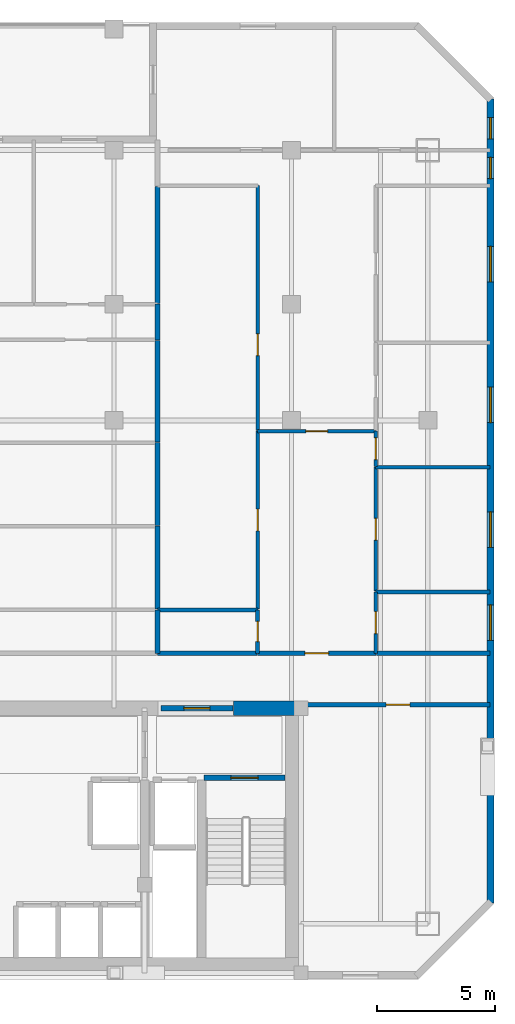
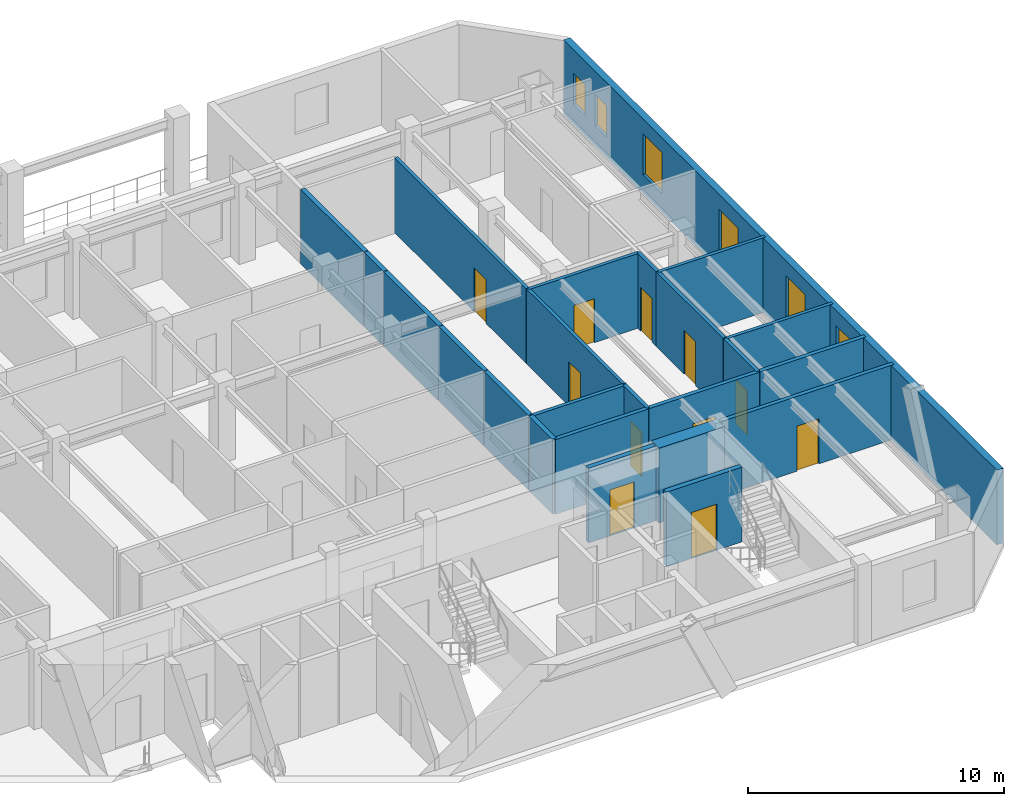
# One storey, part 5 of 8: 24 walls, 11 doors, 6 windows, 17 openings.
"""IFC4 building model written with IfcOpenShell, lengths in metres."""

from ifc_helpers import new_model, si_unit, direction, frame, frame_2d, origin, place, context, subcontext, project, spatial, rectangle, extrude, material, layer, layer_set, type_object, element, fill, save


model = new_model("IFC4")

# Units and contexts
model_context = context("Model", 3, precision=1e-05, world=origin(), true_north=direction((0.0, 1.0)))
body_context = subcontext(model_context, "Body", "Model", "MODEL_VIEW")
ifc_project = project(units=[si_unit("LENGTHUNIT", "METRE"), si_unit("AREAUNIT", "SQUARE_METRE"), si_unit("VOLUMEUNIT", "CUBIC_METRE"), si_unit("PLANEANGLEUNIT", "RADIAN"), si_unit("MASSUNIT", "GRAM", prefix="KILO")], contexts=[model_context])

# Site, building, storey
site_placement = place(None, origin())
site = spatial("IfcSite", under=ifc_project, at=site_placement, CompositionType="ELEMENT")
building_placement = place(site_placement, origin())
building = spatial("IfcBuilding", under=site, at=building_placement, Name="Ventersveld Concourse Tower", CompositionType="ELEMENT")
storey_placement = place(building_placement, frame((0.0, 0.0, 200.300048828125)))
storey = spatial("IfcBuildingStorey", under=building, at=storey_placement, Name="L49", CompositionType="ELEMENT", Elevation=200.300048828125)

# Wall
ifc_material_1 = material(Name="Concrete C50/60", Category="concrete")
ifc_layer_1 = layer(ifc_material_1, 0.60009765625)
ifc_layer_set_1 = layer_set([ifc_layer_1], Name="Concrete C50/60")
wall_type_1 = type_object("IfcWallType", Name="WL-CORE-600", PredefinedType="SHEAR", material=ifc_layer_set_1)
wall_1_placement = place(storey_placement, frame((41.300048828125, 11.449951171875, 0.0), z_axis=(0.0, 0.0, 1.0), x_axis=(1.0, 0.0, 0.0)))
element("IfcWall", 1, at=wall_1_placement, inside=storey, type_object=wall_type_1, Name="L49 Rear Core North Shear Wall NE", PredefinedType="SHEAR", context=body_context, shape_type="SweptSolid", body=[
    extrude(rectangle(XDim=2.949951171875, YDim=0.60009765625, at=frame_2d((1.47509765625, 0.0))), origin(), (0.0, 0.0, 1.0), 3.570068359375),
])

# Wall, opening, door
ifc_material_2 = material(Name="Fire-rated autoclaved aerated masonry blockwork", Category="masonry")
ifc_layer_2 = layer(ifc_material_2, 0.179931640625)
ifc_layer_set_2 = layer_set([ifc_layer_2], Name="Fire-rated autoclaved aerated masonry blockwork")
wall_type_2 = type_object("IfcWallType", Name="WL-CORR-180", PredefinedType="PARTITIONING", material=ifc_layer_set_2)
wall_2_placement = place(storey_placement, frame((44.35498046875, 11.60009765625, 0.0), z_axis=(0.0, 0.0, 1.0), x_axis=(1.0, 0.0, 0.0)))
wall_2 = element("IfcWall", 2, at=wall_2_placement, inside=storey, type_object=wall_type_2, Name="L49 Interior Partition SP-L49-SE-OFF-SP-L49-COR", PredefinedType="PARTITIONING", context=body_context, shape_type="SweptSolid", body=[
    extrude(rectangle(XDim=7.7724609375, YDim=0.179931640625, at=frame_2d((3.88623046875, 0.0))), origin(), (0.0, 0.0, 1.0), 3.570068359375),
])
opening_1_placement = place(wall_2_placement, frame((3.38623046875, 0.0, 0.0)))
opening_1 = element("IfcOpeningElement", 3, at=opening_1_placement, cuts=wall_2, Name="Opening FD3", PredefinedType="OPENING", context=body_context, shape_type="SweptSolid", body=[
    extrude(rectangle(XDim=1.0, YDim=2.14990234375, at=frame_2d((0.5, 1.074951171875))), frame((0.0, 0.10009765625, 0.0), z_axis=(0.0, -1.0, 0.0), x_axis=(1.0, 0.0, 0.0)), (0.0, 0.0, 1.0), 0.199951171875),
])
ifc_material_3 = material(Name="Solid-core hardwood veneer timber", Category="wood")
door_type_1 = type_object("IfcDoorType", Name="DR-FLAT-100", OperationType="NOTDEFINED", PredefinedType="DOOR", material=ifc_material_3)
door_1_placement = place(opening_1_placement, origin())
door_1 = element("IfcDoor", 4, at=door_1_placement, inside=storey, type_object=door_type_1, Name="L49 Interior Door SP-L49-SE-OFF to SP-L49-COR (D-L49-2391)", OperationType="SINGLE_SWING_LEFT", OverallHeight=2.14990234375, OverallWidth=1.0, PredefinedType="DOOR", context=body_context, shape_type="SweptSolid", body=[
    extrude(rectangle(XDim=1.0, YDim=2.14990234375, at=frame_2d((0.5, 1.074951171875))), frame((0.0, 0.02490234375, 0.0), z_axis=(0.0, -1.0, 0.0), x_axis=(1.0, 0.0, 0.0)), (0.0, 0.0, 1.0), 0.050048828125),
])
fill(opening_1, door_1)

wall_3_placement = place(storey_placement, frame((42.3125, 13.77001953125, 0.0), z_axis=(0.0, 0.0, 1.0), x_axis=(1.0, 0.0, 0.0)))
wall_3 = element("IfcWall", 5, at=wall_3_placement, inside=storey, type_object=wall_type_2, Name="L49 Interior Partition SP-L49-COR-SP-L49-49CE-FOY", PredefinedType="PARTITIONING", context=body_context, shape_type="SweptSolid", body=[
    extrude(rectangle(XDim=4.989990234375, YDim=0.179931640625, at=frame_2d((2.4951171875, 0.0))), origin(), (0.0, 0.0, 1.0), 3.570068359375),
])
opening_2_placement = place(wall_3_placement, frame((1.9951171875, 0.0, 0.0)))
opening_2 = element("IfcOpeningElement", 6, at=opening_2_placement, cuts=wall_3, Name="Opening FD3", PredefinedType="OPENING", context=body_context, shape_type="SweptSolid", body=[
    extrude(rectangle(XDim=1.0, YDim=2.14990234375, at=frame_2d((0.5, 1.074951171875))), frame((0.0, 0.10009765625, 0.0), z_axis=(0.0, -1.0, 0.0), x_axis=(1.0, 0.0, 0.0)), (0.0, 0.0, 1.0), 0.199951171875),
])
door_2_placement = place(opening_2_placement, origin())
door_2 = element("IfcDoor", 7, at=door_2_placement, inside=storey, type_object=door_type_1, Name="L49 Interior Door SP-L49-COR to SP-L49-49CE-FOY (FD-L49-2393)", OperationType="SINGLE_SWING_LEFT", OverallHeight=2.14990234375, OverallWidth=1.0, PredefinedType="DOOR", context=body_context, shape_type="SweptSolid", body=[
    extrude(rectangle(XDim=1.0, YDim=2.14990234375, at=frame_2d((0.5, 1.074951171875))), frame((0.0, 0.02490234375, 0.0), z_axis=(0.0, -1.0, 0.0), x_axis=(1.0, 0.0, 0.0)), (0.0, 0.0, 1.0), 0.050048828125),
])
fill(opening_2, door_2)

# Walls
wall_4_placement = place(storey_placement, frame((38.0849609375, 13.77001953125, 0.0), z_axis=(0.0, 0.0, 1.0), x_axis=(1.0, 0.0, 0.0)))
element("IfcWall", 8, at=wall_4_placement, inside=storey, type_object=wall_type_2, Name="L49 Interior Partition SP-L49-COR-SP-L49-49CE-BATH", PredefinedType="PARTITIONING", context=body_context, shape_type="SweptSolid", body=[
    extrude(rectangle(XDim=4.197509765625, YDim=0.179931640625, at=frame_2d((2.0986328125, 0.0))), origin(), (0.0, 0.0, 1.0), 3.570068359375),
])
wall_5_placement = place(storey_placement, frame((47.33251953125, 13.77001953125, 0.0), z_axis=(0.0, 0.0, 1.0), x_axis=(1.0, 0.0, 0.0)))
element("IfcWall", 9, at=wall_5_placement, inside=storey, type_object=wall_type_2, Name="L49 Interior Partition SP-L49-COR-SP-L49-49CE-KIT", PredefinedType="PARTITIONING", context=body_context, shape_type="SweptSolid", body=[
    extrude(rectangle(XDim=4.794921875, YDim=0.179931640625, at=frame_2d((2.3974609375, 0.0))), origin(), (0.0, 0.0, 1.0), 3.570068359375),
])
ifc_layer_3 = layer(ifc_material_2, 0.199951171875)
ifc_layer_set_3 = layer_set([ifc_layer_3], Name="Fire-rated autoclaved aerated masonry blockwork")
wall_type_3 = type_object("IfcWallType", Name="WL-DEMISE-200", PredefinedType="PARTITIONING", material=ifc_layer_set_3)
wall_6_placement = place(storey_placement, frame((38.090087890625, 13.764892578125, 0.0), z_axis=(0.0, 0.0, 1.0), x_axis=(0.0, 1.0, 0.0)))
element("IfcWall", 10, at=wall_6_placement, inside=storey, type_object=wall_type_3, Name="L49 Interior Partition SP-L49-49CE-BATH-SP-L49-49CM-KIT", PredefinedType="PARTITIONING", context=body_context, shape_type="SweptSolid", body=[
    extrude(rectangle(XDim=1.840087890625, YDim=0.199951171875, at=frame_2d((0.919921875, 0.0))), origin(), (0.0, 0.0, 1.0), 3.570068359375),
])
wall_7_placement = place(storey_placement, frame((38.090087890625, 26.9951171875, 0.0), z_axis=(0.0, 0.0, 1.0), x_axis=(0.0, 1.0, 0.0)))
element("IfcWall", 11, at=wall_7_placement, inside=storey, type_object=wall_type_3, Name="L49 Interior Partition SP-L49-49CE-SEML0-SP-L49-49CM-LIV", PredefinedType="PARTITIONING", context=body_context, shape_type="SweptSolid", body=[
    extrude(rectangle(XDim=1.509765625, YDim=0.199951171875, at=frame_2d((0.7548828125, 0.0))), origin(), (0.0, 0.0, 1.0), 3.570068359375),
])
for number, where, z_axis, x_axis, name in (
    (12, (38.090087890625, 15.635009765625, 0.0), (0.0, 0.0, 1.0), (0.0, 1.0, 0.0), "L49 Interior Partition SP-L49-49CE-SEML0-SP-L49-49CM-DENR"),
    (13, (38.090087890625, 19.160400390625, 0.0), (0.0, 0.0, 1.0), (0.0, 1.0, 0.0), "L49 Interior Partition SP-L49-49CE-SEML0-SP-L49-49CM-DENS"),
):
    element("IfcWall", number, at=place(storey_placement, frame(where, z_axis=z_axis, x_axis=x_axis)), inside=storey, type_object=wall_type_3, Name=name, PredefinedType="PARTITIONING", context=body_context, shape_type="SweptSolid", body=[
        extrude(rectangle(XDim=3.49560546875, YDim=0.199951171875, at=frame_2d((1.747802734375, 0.0))), origin(), (0.0, 0.0, 1.0), 3.570068359375),
    ])
wall_8_placement = place(storey_placement, frame((38.090087890625, 22.68603515625, 0.0), z_axis=(0.0, 0.0, 1.0), x_axis=(0.0, 1.0, 0.0)))
element("IfcWall", 14, at=wall_8_placement, inside=storey, type_object=wall_type_3, Name="L49 Interior Partition SP-L49-49CE-SEML0-SP-L49-49CM-DENS2", PredefinedType="PARTITIONING", context=body_context, shape_type="SweptSolid", body=[
    extrude(rectangle(XDim=4.279052734375, YDim=0.199951171875, at=frame_2d((2.1396484375, 0.0))), origin(), (0.0, 0.0, 1.0), 3.570068359375),
])
wall_9_placement = place(storey_placement, frame((38.090087890625, 28.534912109375, 0.0), z_axis=(0.0, 0.0, 1.0), x_axis=(0.0, 1.0, 0.0)))
element("IfcWall", 15, at=wall_9_placement, inside=storey, type_object=wall_type_3, Name="L49 Interior Partition SP-L49-49CE-SEML0-SP-L49-49CM-BR4", PredefinedType="PARTITIONING", context=body_context, shape_type="SweptSolid", body=[
    extrude(rectangle(XDim=4.93017578125, YDim=0.199951171875, at=frame_2d((2.465087890625, 0.0))), origin(), (0.0, 0.0, 1.0), 3.570068359375),
])

# Wall, opening, door
ifc_layer_4 = layer(ifc_material_2, 0.219970703125)
ifc_layer_set_4 = layer_set([ifc_layer_4], Name="Fire-rated autoclaved aerated masonry blockwork")
wall_type_4 = type_object("IfcWallType", Name="WL-HOIST-220", PredefinedType="SOLIDWALL", material=ifc_layer_set_4)
wall_10_placement = place(storey_placement, frame((40.06005859375, 8.52001953125, 0.0), z_axis=(0.0, 0.0, 1.0), x_axis=(1.0, 0.0, 0.0)))
wall_10 = element("IfcWall", 16, at=wall_10_placement, inside=storey, type_object=wall_type_4, Name="L49 Escape Stair ST02 Fire Wall", PredefinedType="SOLIDWALL", context=body_context, shape_type="SweptSolid", body=[
    extrude(rectangle(XDim=3.39990234375, YDim=0.219970703125, at=frame_2d((1.699951171875, 0.0))), origin(), (0.0, 0.0, 1.0), 3.570068359375),
])
opening_3_placement = place(wall_10_placement, frame((1.125, 0.0, 0.0)))
opening_3 = element("IfcOpeningElement", 17, at=opening_3_placement, cuts=wall_10, Name="Opening FD1", PredefinedType="OPENING", context=body_context, shape_type="SweptSolid", body=[
    extrude(rectangle(XDim=1.14990234375, YDim=2.199951171875, at=frame_2d((0.574951171875, 1.10009765625))), frame((0.0, 0.1201171875, 0.0), z_axis=(0.0, -1.0, 0.0), x_axis=(1.0, 0.0, 0.0)), (0.0, 0.0, 1.0), 0.239990234375),
])
ifc_material_4 = material(Name="Galvanised painted steel", Category="steel")
door_type_2 = type_object("IfcDoorType", Name="DR-STAIR-115", OperationType="NOTDEFINED", PredefinedType="DOOR", material=ifc_material_4)
door_3_placement = place(opening_3_placement, origin())
door_3 = element("IfcDoor", 18, at=door_3_placement, inside=storey, type_object=door_type_2, Name="L49 Escape Stair Door ST02 (SD-L49-2382)", OperationType="SINGLE_SWING_RIGHT", OverallHeight=2.199951171875, OverallWidth=1.14990234375, PredefinedType="DOOR", context=body_context, shape_type="SweptSolid", body=[
    extrude(rectangle(XDim=1.14990234375, YDim=2.199951171875, at=frame_2d((0.574951171875, 1.10009765625))), frame((0.0, 0.02490234375, 0.0), z_axis=(0.0, -1.0, 0.0), x_axis=(1.0, 0.0, 0.0)), (0.0, 0.0, 1.0), 0.050048828125),
])
fill(opening_3, door_3)

wall_11_placement = place(storey_placement, frame((38.22998046875, 11.449951171875, 0.0), z_axis=(0.0, 0.0, 1.0), x_axis=(1.0, 0.0, 0.0)))
wall_11 = element("IfcWall", 19, at=wall_11_placement, inside=storey, type_object=wall_type_4, Name="L49 Core North Fire Portal FFLE-OUT", PredefinedType="SOLIDWALL", context=body_context, shape_type="SweptSolid", body=[
    extrude(rectangle(XDim=3.0400390625, YDim=0.219970703125, at=frame_2d((1.52001953125, 0.0))), origin(), (0.0, 0.0, 1.0), 3.570068359375),
])
opening_4_placement = place(wall_11_placement, frame((0.969970703125, 0.0, 0.0)))
opening_4 = element("IfcOpeningElement", 20, at=opening_4_placement, cuts=wall_11, Name="Opening FD2", PredefinedType="OPENING", context=body_context, shape_type="SweptSolid", body=[
    extrude(rectangle(XDim=1.10009765625, YDim=2.199951171875, at=frame_2d((0.550048828125, 1.10009765625))), frame((0.0, 0.1201171875, 0.0), z_axis=(0.0, -1.0, 0.0), x_axis=(1.0, 0.0, 0.0)), (0.0, 0.0, 1.0), 0.239990234375),
])
door_type_3 = type_object("IfcDoorType", Name="DR-FFL-110", OperationType="NOTDEFINED", PredefinedType="DOOR", material=ifc_material_4)
door_4_placement = place(opening_4_placement, origin())
door_4 = element("IfcDoor", 21, at=door_4_placement, inside=storey, type_object=door_type_3, Name="L49 Core Lobby Fire Door FFLE-OUT (FD-L49-2388)", OperationType="SINGLE_SWING_LEFT", OverallHeight=2.199951171875, OverallWidth=1.10009765625, PredefinedType="DOOR", context=body_context, shape_type="SweptSolid", body=[
    extrude(rectangle(XDim=1.10009765625, YDim=2.199951171875, at=frame_2d((0.550048828125, 1.10009765625))), frame((0.0, 0.02490234375, 0.0), z_axis=(0.0, -1.0, 0.0), x_axis=(1.0, 0.0, 0.0)), (0.0, 0.0, 1.0), 0.050048828125),
])
fill(opening_4, door_4)

ifc_material_5 = material(Name="Autoclaved aerated masonry blockwork", Category="masonry")
ifc_layer_5 = layer(ifc_material_5, 0.14990234375)
ifc_layer_set_5 = layer_set([ifc_layer_5], Name="Autoclaved aerated masonry blockwork")
wall_type_5 = type_object("IfcWallType", Name="WL-INT-150", PredefinedType="PARTITIONING", material=ifc_layer_set_5)
wall_12_placement = place(storey_placement, frame((42.3125, 23.143310546875, 0.0), z_axis=(0.0, 0.0, 1.0), x_axis=(1.0, 0.0, 0.0)))
wall_12 = element("IfcWall", 22, at=wall_12_placement, inside=storey, type_object=wall_type_5, Name="L49 Interior Partition SP-L49-49CE-FOY-SP-L49-49CE-LIV", PredefinedType="PARTITIONING", context=body_context, shape_type="SweptSolid", body=[
    extrude(rectangle(XDim=4.989990234375, YDim=0.14990234375, at=frame_2d((2.4951171875, 0.0))), origin(), (0.0, 0.0, 1.0), 3.570068359375),
])
opening_5_placement = place(wall_12_placement, frame((2.034912109375, 0.0, 0.0)))
opening_5 = element("IfcOpeningElement", 23, at=opening_5_placement, cuts=wall_12, Name="Opening ID1", PredefinedType="OPENING", context=body_context, shape_type="SweptSolid", body=[
    extrude(rectangle(XDim=0.919921875, YDim=2.10009765625, at=frame_2d((0.4599609375, 1.050048828125))), frame((0.0, 0.0849609375, 0.0), z_axis=(0.0, -1.0, 0.0), x_axis=(1.0, 0.0, 0.0)), (0.0, 0.0, 1.0), 0.169921875),
])
door_type_4 = type_object("IfcDoorType", Name="DR-ROOM-092", OperationType="NOTDEFINED", PredefinedType="DOOR", material=ifc_material_3)
door_5_placement = place(opening_5_placement, origin())
door_5 = element("IfcDoor", 24, at=door_5_placement, inside=storey, type_object=door_type_4, Name="L49 Interior Door SP-L49-49CE-FOY to SP-L49-49CE-LIV (D-L49-2403)", OperationType="SINGLE_SWING_LEFT", OverallHeight=2.10009765625, OverallWidth=0.919921875, PredefinedType="DOOR", context=body_context, shape_type="SweptSolid", body=[
    extrude(rectangle(XDim=0.919921875, YDim=2.10009765625, at=frame_2d((0.4599609375, 1.050048828125))), frame((0.0, 0.02490234375, 0.0), z_axis=(0.0, -1.0, 0.0), x_axis=(1.0, 0.0, 0.0)), (0.0, 0.0, 1.0), 0.050048828125),
])
fill(opening_5, door_5)

wall_13_placement = place(storey_placement, frame((42.3173828125, 15.635009765625, 0.0), z_axis=(0.0, 0.0, 1.0), x_axis=(0.0, 1.0, 0.0)))
wall_13 = element("IfcWall", 25, at=wall_13_placement, inside=storey, type_object=wall_type_5, Name="L49 Interior Partition SP-L49-49CE-FOY-SP-L49-49CE-SEML0", PredefinedType="PARTITIONING", context=body_context, shape_type="SweptSolid", body=[
    extrude(rectangle(XDim=7.51318359375, YDim=0.14990234375, at=frame_2d((3.756591796875, 0.0))), origin(), (0.0, 0.0, 1.0), 3.570068359375),
])
opening_6_placement = place(wall_13_placement, frame((3.296630859375, 0.0, 0.0)))
opening_6 = element("IfcOpeningElement", 26, at=opening_6_placement, cuts=wall_13, Name="Opening ID1", PredefinedType="OPENING", context=body_context, shape_type="SweptSolid", body=[
    extrude(rectangle(XDim=0.919921875, YDim=2.10009765625, at=frame_2d((0.4599609375, 1.050048828125))), frame((0.0, 0.0849609375, 0.0), z_axis=(0.0, -1.0, 0.0), x_axis=(1.0, 0.0, 0.0)), (0.0, 0.0, 1.0), 0.169921875),
])
door_6_placement = place(opening_6_placement, origin())
door_6 = element("IfcDoor", 27, at=door_6_placement, inside=storey, type_object=door_type_4, Name="L49 Interior Door SP-L49-49CE-FOY to SP-L49-49CE-SEML0 (D-L49-2405)", OperationType="SINGLE_SWING_LEFT", OverallHeight=2.10009765625, OverallWidth=0.919921875, PredefinedType="DOOR", context=body_context, shape_type="SweptSolid", body=[
    extrude(rectangle(XDim=0.919921875, YDim=2.10009765625, at=frame_2d((0.4599609375, 1.050048828125))), frame((0.0, 0.02490234375, 0.0), z_axis=(0.0, -1.0, 0.0), x_axis=(1.0, 0.0, 0.0)), (0.0, 0.0, 1.0), 0.050048828125),
])
fill(opening_6, door_6)

wall_14_placement = place(storey_placement, frame((47.297607421875, 13.764892578125, 0.0), z_axis=(0.0, 0.0, 1.0), x_axis=(0.0, 1.0, 0.0)))
wall_14 = element("IfcWall", 28, at=wall_14_placement, inside=storey, type_object=wall_type_5, Name="L49 Interior Partition SP-L49-49CE-FOY-SP-L49-49CE-KIT", PredefinedType="PARTITIONING", context=body_context, shape_type="SweptSolid", body=[
    extrude(rectangle(XDim=2.5947265625, YDim=0.14990234375, at=frame_2d((1.29736328125, 0.0))), origin(), (0.0, 0.0, 1.0), 3.570068359375),
])
opening_7_placement = place(wall_14_placement, frame((0.83740234375, 0.0, 0.0)))
opening_7 = element("IfcOpeningElement", 29, at=opening_7_placement, cuts=wall_14, Name="Opening ID1", PredefinedType="OPENING", context=body_context, shape_type="SweptSolid", body=[
    extrude(rectangle(XDim=0.919921875, YDim=2.10009765625, at=frame_2d((0.4599609375, 1.050048828125))), frame((0.0, 0.0849609375, 0.0), z_axis=(0.0, -1.0, 0.0), x_axis=(1.0, 0.0, 0.0)), (0.0, 0.0, 1.0), 0.169921875),
])
door_7_placement = place(opening_7_placement, origin())
door_7 = element("IfcDoor", 30, at=door_7_placement, inside=storey, type_object=door_type_4, Name="L49 Interior Door SP-L49-49CE-FOY to SP-L49-49CE-KIT (D-L49-2406)", OperationType="SINGLE_SWING_RIGHT", OverallHeight=2.10009765625, OverallWidth=0.919921875, PredefinedType="DOOR", context=body_context, shape_type="SweptSolid", body=[
    extrude(rectangle(XDim=0.919921875, YDim=2.10009765625, at=frame_2d((0.4599609375, 1.050048828125))), frame((0.0, 0.02490234375, 0.0), z_axis=(0.0, -1.0, 0.0), x_axis=(1.0, 0.0, 0.0)), (0.0, 0.0, 1.0), 0.050048828125),
])
fill(opening_7, door_7)

wall_15_placement = place(storey_placement, frame((47.297607421875, 16.389404296875, 0.0), z_axis=(0.0, 0.0, 1.0), x_axis=(0.0, 1.0, 0.0)))
wall_15 = element("IfcWall", 31, at=wall_15_placement, inside=storey, type_object=wall_type_5, Name="L49 Interior Partition SP-L49-49CE-FOY-SP-L49-49CE-DENR", PredefinedType="PARTITIONING", context=body_context, shape_type="SweptSolid", body=[
    extrude(rectangle(XDim=5.23388671875, YDim=0.14990234375, at=frame_2d((2.616943359375, 0.0))), origin(), (0.0, 0.0, 1.0), 3.570068359375),
])
opening_8_placement = place(wall_15_placement, frame((2.15673828125, 0.0, 0.0)))
opening_8 = element("IfcOpeningElement", 32, at=opening_8_placement, cuts=wall_15, Name="Opening ID1", PredefinedType="OPENING", context=body_context, shape_type="SweptSolid", body=[
    extrude(rectangle(XDim=0.919921875, YDim=2.10009765625, at=frame_2d((0.4599609375, 1.050048828125))), frame((0.0, 0.0849609375, 0.0), z_axis=(0.0, -1.0, 0.0), x_axis=(1.0, 0.0, 0.0)), (0.0, 0.0, 1.0), 0.169921875),
])
door_8_placement = place(opening_8_placement, origin())
door_8 = element("IfcDoor", 33, at=door_8_placement, inside=storey, type_object=door_type_4, Name="L49 Interior Door SP-L49-49CE-FOY to SP-L49-49CE-DENR (D-L49-2407)", OperationType="SINGLE_SWING_LEFT", OverallHeight=2.10009765625, OverallWidth=0.919921875, PredefinedType="DOOR", context=body_context, shape_type="SweptSolid", body=[
    extrude(rectangle(XDim=0.919921875, YDim=2.10009765625, at=frame_2d((0.4599609375, 1.050048828125))), frame((0.0, 0.02490234375, 0.0), z_axis=(0.0, -1.0, 0.0), x_axis=(1.0, 0.0, 0.0)), (0.0, 0.0, 1.0), 0.050048828125),
])
fill(opening_8, door_8)

wall_16_placement = place(storey_placement, frame((47.297607421875, 21.6533203125, 0.0), z_axis=(0.0, 0.0, 1.0), x_axis=(0.0, 1.0, 0.0)))
wall_16 = element("IfcWall", 34, at=wall_16_placement, inside=storey, type_object=wall_type_5, Name="L49 Interior Partition SP-L49-49CE-FOY-SP-L49-49CE-DENS", PredefinedType="PARTITIONING", context=body_context, shape_type="SweptSolid", body=[
    extrude(rectangle(XDim=1.494873046875, YDim=0.14990234375, at=frame_2d((0.74755859375, 0.0))), origin(), (0.0, 0.0, 1.0), 3.570068359375),
])
opening_9_placement = place(wall_16_placement, frame((0.28759765625, 0.0, 0.0)))
opening_9 = element("IfcOpeningElement", 35, at=opening_9_placement, cuts=wall_16, Name="Opening ID1", PredefinedType="OPENING", context=body_context, shape_type="SweptSolid", body=[
    extrude(rectangle(XDim=0.919921875, YDim=2.10009765625, at=frame_2d((0.4599609375, 1.050048828125))), frame((0.0, 0.0849609375, 0.0), z_axis=(0.0, -1.0, 0.0), x_axis=(1.0, 0.0, 0.0)), (0.0, 0.0, 1.0), 0.169921875),
])
door_9_placement = place(opening_9_placement, origin())
door_9 = element("IfcDoor", 36, at=door_9_placement, inside=storey, type_object=door_type_4, Name="L49 Interior Door SP-L49-49CE-FOY to SP-L49-49CE-DENS (D-L49-2408)", OperationType="SINGLE_SWING_RIGHT", OverallHeight=2.10009765625, OverallWidth=0.919921875, PredefinedType="DOOR", context=body_context, shape_type="SweptSolid", body=[
    extrude(rectangle(XDim=0.919921875, YDim=2.10009765625, at=frame_2d((0.4599609375, 1.050048828125))), frame((0.0, 0.02490234375, 0.0), z_axis=(0.0, -1.0, 0.0), x_axis=(1.0, 0.0, 0.0)), (0.0, 0.0, 1.0), 0.050048828125),
])
fill(opening_9, door_9)

wall_17_placement = place(storey_placement, frame((42.3173828125, 23.17822265625, 0.0), z_axis=(0.0, 0.0, 1.0), x_axis=(0.0, 1.0, 0.0)))
wall_17 = element("IfcWall", 37, at=wall_17_placement, inside=storey, type_object=wall_type_5, Name="L49 Interior Partition SP-L49-49CE-LIV-SP-L49-49CE-SEML0", PredefinedType="PARTITIONING", context=body_context, shape_type="SweptSolid", body=[
    extrude(rectangle(XDim=10.32666015625, YDim=0.14990234375, at=frame_2d((5.163330078125, 0.0))), origin(), (0.0, 0.0, 1.0), 3.570068359375),
])
opening_10_placement = place(wall_17_placement, frame((3.154296875, 0.0, 0.0)))
opening_10 = element("IfcOpeningElement", 38, at=opening_10_placement, cuts=wall_17, Name="Opening ID1", PredefinedType="OPENING", context=body_context, shape_type="SweptSolid", body=[
    extrude(rectangle(XDim=0.919921875, YDim=2.10009765625, at=frame_2d((0.4599609375, 1.050048828125))), frame((0.0, 0.0849609375, 0.0), z_axis=(0.0, -1.0, 0.0), x_axis=(1.0, 0.0, 0.0)), (0.0, 0.0, 1.0), 0.169921875),
])
door_10_placement = place(opening_10_placement, origin())
door_10 = element("IfcDoor", 39, at=door_10_placement, inside=storey, type_object=door_type_4, Name="L49 Interior Door SP-L49-49CE-LIV to SP-L49-49CE-SEML0 (D-L49-2409)", OperationType="SINGLE_SWING_LEFT", OverallHeight=2.10009765625, OverallWidth=0.919921875, PredefinedType="DOOR", context=body_context, shape_type="SweptSolid", body=[
    extrude(rectangle(XDim=0.919921875, YDim=2.10009765625, at=frame_2d((0.4599609375, 1.050048828125))), frame((0.0, 0.02490234375, 0.0), z_axis=(0.0, -1.0, 0.0), x_axis=(1.0, 0.0, 0.0)), (0.0, 0.0, 1.0), 0.050048828125),
])
fill(opening_10, door_10)

# Walls
for number, where, z_axis, x_axis, name in (
    (40, (47.29248046875, 16.3544921875, 0.0), (0.0, 0.0, 1.0), (1.0, 0.0, 0.0), "L49 Interior Partition SP-L49-49CE-KIT-SP-L49-49CE-DENR"),
    (41, (47.29248046875, 21.6181640625, 0.0), (0.0, 0.0, 1.0), (1.0, 0.0, 0.0), "L49 Interior Partition SP-L49-49CE-DENR-SP-L49-49CE-DENS"),
):
    element("IfcWall", number, at=place(storey_placement, frame(where, z_axis=z_axis, x_axis=x_axis)), inside=storey, type_object=wall_type_5, Name=name, PredefinedType="PARTITIONING", context=body_context, shape_type="SweptSolid", body=[
        extrude(rectangle(XDim=4.8349609375, YDim=0.14990234375, at=frame_2d((2.41748046875, 0.0))), origin(), (0.0, 0.0, 1.0), 3.570068359375),
    ])

# Wall, openings, windows
ifc_material_6 = material(Name="Precast concrete C45/55", Category="concrete")
ifc_layer_6 = layer(ifc_material_6, 0.300048828125)
ifc_layer_set_6 = layer_set([ifc_layer_6], Name="Precast concrete C45/55")
wall_type_6 = type_object("IfcWallType", Name="WL-PREC-300", PredefinedType="SOLIDWALL", material=ifc_layer_set_6)
wall_18_placement = place(storey_placement, frame((52.14990234375, 3.239990234375, 0.0), z_axis=(0.0, 0.0, 1.0), x_axis=(0.0, 1.0, 0.0)))
wall_18 = element("IfcWall", 42, at=wall_18_placement, inside=storey, type_object=wall_type_6, Name="L49 Highveld Precast Facade Wall E03", PredefinedType="SOLIDWALL", context=body_context, shape_type="SweptSolid", body=[
    extrude(rectangle(XDim=33.919921875, YDim=0.300048828125, at=frame_2d((16.9599609375, 0.0))), origin(), (0.0, 0.0, 1.0), 3.570068359375),
])
opening_11_placement = place(wall_18_placement, frame((30.56005859375, 0.0, 0.949951171875)))
opening_11 = element("IfcOpeningElement", 43, at=opening_11_placement, cuts=wall_18, Name="Opening W4", PredefinedType="OPENING", context=body_context, shape_type="SweptSolid", body=[
    extrude(rectangle(XDim=0.89990234375, YDim=1.5, at=frame_2d((0.449951171875, 0.75))), frame((0.0, 0.16015625, 0.0), z_axis=(0.0, -1.0, 0.0), x_axis=(1.0, 0.0, 0.0)), (0.0, 0.0, 1.0), 0.320068359375),
])
opening_12_placement = place(wall_18_placement, frame((11.072265625, 0.0, 0.89990234375)))
opening_12 = element("IfcOpeningElement", 44, at=opening_12_placement, cuts=wall_18, Name="Opening W1", PredefinedType="OPENING", context=body_context, shape_type="SweptSolid", body=[
    extrude(rectangle(XDim=1.5, YDim=1.949951171875, at=frame_2d((0.75, 0.97509765625))), frame((0.0, 0.16015625, 0.0), z_axis=(0.0, -1.0, 0.0), x_axis=(1.0, 0.0, 0.0)), (0.0, 0.0, 1.0), 0.320068359375),
])
opening_13_placement = place(wall_18_placement, frame((14.996337890625, 0.0, 0.89990234375)))
opening_13 = element("IfcOpeningElement", 45, at=opening_13_placement, cuts=wall_18, Name="Opening W1", PredefinedType="OPENING", context=body_context, shape_type="SweptSolid", body=[
    extrude(rectangle(XDim=1.5, YDim=1.949951171875, at=frame_2d((0.75, 0.97509765625))), frame((0.0, 0.16015625, 0.0), z_axis=(0.0, -1.0, 0.0), x_axis=(1.0, 0.0, 0.0)), (0.0, 0.0, 1.0), 0.320068359375),
])
opening_14_placement = place(wall_18_placement, frame((20.260009765625, 0.0, 0.89990234375)))
opening_14 = element("IfcOpeningElement", 46, at=opening_14_placement, cuts=wall_18, Name="Opening W1", PredefinedType="OPENING", context=body_context, shape_type="SweptSolid", body=[
    extrude(rectangle(XDim=1.5, YDim=1.949951171875, at=frame_2d((0.75, 0.97509765625))), frame((0.0, 0.16015625, 0.0), z_axis=(0.0, -1.0, 0.0), x_axis=(1.0, 0.0, 0.0)), (0.0, 0.0, 1.0), 0.320068359375),
])
opening_15_placement = place(wall_18_placement, frame((26.200927734375, 0.0, 0.89990234375)))
opening_15 = element("IfcOpeningElement", 47, at=opening_15_placement, cuts=wall_18, Name="Opening W1", PredefinedType="OPENING", context=body_context, shape_type="SweptSolid", body=[
    extrude(rectangle(XDim=1.5, YDim=1.949951171875, at=frame_2d((0.75, 0.97509765625))), frame((0.0, 0.16015625, 0.0), z_axis=(0.0, -1.0, 0.0), x_axis=(1.0, 0.0, 0.0)), (0.0, 0.0, 1.0), 0.320068359375),
])
opening_16_placement = place(wall_18_placement, frame((32.239990234375, 0.0, 0.949951171875)))
opening_16 = element("IfcOpeningElement", 48, at=opening_16_placement, cuts=wall_18, Name="Opening W4", PredefinedType="OPENING", context=body_context, shape_type="SweptSolid", body=[
    extrude(rectangle(XDim=0.89990234375, YDim=1.5, at=frame_2d((0.449951171875, 0.75))), frame((0.0, 0.16015625, 0.0), z_axis=(0.0, -1.0, 0.0), x_axis=(1.0, 0.0, 0.0)), (0.0, 0.0, 1.0), 0.320068359375),
])
ifc_material_7 = material(Name="Tempered acoustic Low-E IGU", Category="glass")
window_type_1 = type_object("IfcWindowType", Name="WIN-090x150", PartitioningType="SINGLE_PANEL", PredefinedType="WINDOW", material=ifc_material_7)
window_1_placement = place(opening_11_placement, origin())
window_1 = element("IfcWindow", 49, at=window_1_placement, inside=storey, type_object=window_type_1, Name="L49 Punched Low-E Window W-0692", OverallHeight=1.5, OverallWidth=0.89990234375, PartitioningType="SINGLE_PANEL", PredefinedType="WINDOW", context=body_context, shape_type="SweptSolid", body=[
    extrude(rectangle(XDim=0.89990234375, YDim=1.5, at=frame_2d((0.449951171875, 0.75))), frame((0.0, 0.030029296875, 0.0), z_axis=(0.0, -1.0, 0.0), x_axis=(1.0, 0.0, 0.0)), (0.0, 0.0, 1.0), 0.06005859375),
])
fill(opening_11, window_1)
window_2_placement = place(opening_16_placement, origin())
window_2 = element("IfcWindow", 50, at=window_2_placement, inside=storey, type_object=window_type_1, Name="L49 Punched Low-E Window W-0698", OverallHeight=1.5, OverallWidth=0.89990234375, PartitioningType="SINGLE_PANEL", PredefinedType="WINDOW", context=body_context, shape_type="SweptSolid", body=[
    extrude(rectangle(XDim=0.89990234375, YDim=1.5, at=frame_2d((0.449951171875, 0.75))), frame((0.0, 0.030029296875, 0.0), z_axis=(0.0, -1.0, 0.0), x_axis=(1.0, 0.0, 0.0)), (0.0, 0.0, 1.0), 0.06005859375),
])
fill(opening_16, window_2)
window_type_2 = type_object("IfcWindowType", Name="WIN-150x210", PartitioningType="SINGLE_PANEL", PredefinedType="WINDOW", material=ifc_material_7)
window_3_placement = place(opening_12_placement, origin())
window_3 = element("IfcWindow", 51, at=window_3_placement, inside=storey, type_object=window_type_2, Name="L49 Punched Low-E Window W-0693", OverallHeight=1.949951171875, OverallWidth=1.5, PartitioningType="SINGLE_PANEL", PredefinedType="WINDOW", context=body_context, shape_type="SweptSolid", body=[
    extrude(rectangle(XDim=1.5, YDim=1.949951171875, at=frame_2d((0.75, 0.97509765625))), frame((0.0, 0.030029296875, 0.0), z_axis=(0.0, -1.0, 0.0), x_axis=(1.0, 0.0, 0.0)), (0.0, 0.0, 1.0), 0.06005859375),
])
fill(opening_12, window_3)
window_4_placement = place(opening_13_placement, origin())
window_4 = element("IfcWindow", 52, at=window_4_placement, inside=storey, type_object=window_type_2, Name="L49 Punched Low-E Window W-0694", OverallHeight=1.949951171875, OverallWidth=1.5, PartitioningType="SINGLE_PANEL", PredefinedType="WINDOW", context=body_context, shape_type="SweptSolid", body=[
    extrude(rectangle(XDim=1.5, YDim=1.949951171875, at=frame_2d((0.75, 0.97509765625))), frame((0.0, 0.030029296875, 0.0), z_axis=(0.0, -1.0, 0.0), x_axis=(1.0, 0.0, 0.0)), (0.0, 0.0, 1.0), 0.06005859375),
])
fill(opening_13, window_4)
window_5_placement = place(opening_14_placement, origin())
window_5 = element("IfcWindow", 53, at=window_5_placement, inside=storey, type_object=window_type_2, Name="L49 Punched Low-E Window W-0695", OverallHeight=1.949951171875, OverallWidth=1.5, PartitioningType="SINGLE_PANEL", PredefinedType="WINDOW", context=body_context, shape_type="SweptSolid", body=[
    extrude(rectangle(XDim=1.5, YDim=1.949951171875, at=frame_2d((0.75, 0.97509765625))), frame((0.0, 0.030029296875, 0.0), z_axis=(0.0, -1.0, 0.0), x_axis=(1.0, 0.0, 0.0)), (0.0, 0.0, 1.0), 0.06005859375),
])
fill(opening_14, window_5)
window_6_placement = place(opening_15_placement, origin())
window_6 = element("IfcWindow", 54, at=window_6_placement, inside=storey, type_object=window_type_2, Name="L49 Punched Low-E Window W-0696", OverallHeight=1.949951171875, OverallWidth=1.5, PartitioningType="SINGLE_PANEL", PredefinedType="WINDOW", context=body_context, shape_type="SweptSolid", body=[
    extrude(rectangle(XDim=1.5, YDim=1.949951171875, at=frame_2d((0.75, 0.97509765625))), frame((0.0, 0.030029296875, 0.0), z_axis=(0.0, -1.0, 0.0), x_axis=(1.0, 0.0, 0.0)), (0.0, 0.0, 1.0), 0.06005859375),
])
fill(opening_15, window_6)

# Wall, opening, door
ifc_layer_7 = layer(ifc_material_5, 0.1650390625)
ifc_layer_set_7 = layer_set([ifc_layer_7], Name="Autoclaved aerated masonry blockwork")
wall_type_7 = type_object("IfcWallType", Name="WL-WET-165", PredefinedType="PLUMBINGWALL", material=ifc_layer_set_7)
wall_19_placement = place(storey_placement, frame((42.3173828125, 13.764892578125, 0.0), z_axis=(0.0, 0.0, 1.0), x_axis=(0.0, 1.0, 0.0)))
wall_19 = element("IfcWall", 55, at=wall_19_placement, inside=storey, type_object=wall_type_7, Name="L49 Interior Partition SP-L49-49CE-FOY-SP-L49-49CE-BATH", PredefinedType="PLUMBINGWALL", context=body_context, shape_type="SweptSolid", body=[
    extrude(rectangle(XDim=1.840087890625, YDim=0.1650390625, at=frame_2d((0.919921875, 0.0))), origin(), (0.0, 0.0, 1.0), 3.570068359375),
])
opening_17_placement = place(wall_19_placement, frame((0.4951171875, 0.0, 0.0)))
opening_17 = element("IfcOpeningElement", 56, at=opening_17_placement, cuts=wall_19, Name="Opening ID2", PredefinedType="OPENING", context=body_context, shape_type="SweptSolid", body=[
    extrude(rectangle(XDim=0.85009765625, YDim=2.10009765625, at=frame_2d((0.425048828125, 1.050048828125))), frame((0.0, 0.092529296875, 0.0), z_axis=(0.0, -1.0, 0.0), x_axis=(1.0, 0.0, 0.0)), (0.0, 0.0, 1.0), 0.18505859375),
])
door_type_5 = type_object("IfcDoorType", Name="DR-BATH-085", OperationType="NOTDEFINED", PredefinedType="DOOR", material=ifc_material_3)
door_11_placement = place(opening_17_placement, origin())
door_11 = element("IfcDoor", 57, at=door_11_placement, inside=storey, type_object=door_type_5, Name="L49 Interior Door SP-L49-49CE-FOY to SP-L49-49CE-BATH (D-L49-2404)", OperationType="SINGLE_SWING_RIGHT", OverallHeight=2.10009765625, OverallWidth=0.85009765625, PredefinedType="DOOR", context=body_context, shape_type="SweptSolid", body=[
    extrude(rectangle(XDim=0.85009765625, YDim=2.10009765625, at=frame_2d((0.425048828125, 1.050048828125))), frame((0.0, 0.02490234375, 0.0), z_axis=(0.0, -1.0, 0.0), x_axis=(1.0, 0.0, 0.0)), (0.0, 0.0, 1.0), 0.050048828125),
])
fill(opening_17, door_11)

# Wall
wall_20_placement = place(storey_placement, frame((38.0849609375, 15.60009765625, 0.0), z_axis=(0.0, 0.0, 1.0), x_axis=(1.0, 0.0, 0.0)))
element("IfcWall", 58, at=wall_20_placement, inside=storey, type_object=wall_type_7, Name="L49 Interior Partition SP-L49-49CE-BATH-SP-L49-49CE-SEML0", PredefinedType="PLUMBINGWALL", context=body_context, shape_type="SweptSolid", body=[
    extrude(rectangle(XDim=4.237548828125, YDim=0.1650390625, at=frame_2d((2.11865234375, 0.0))), origin(), (0.0, 0.0, 1.0), 3.570068359375),
])

save(model, "model.ifc")
